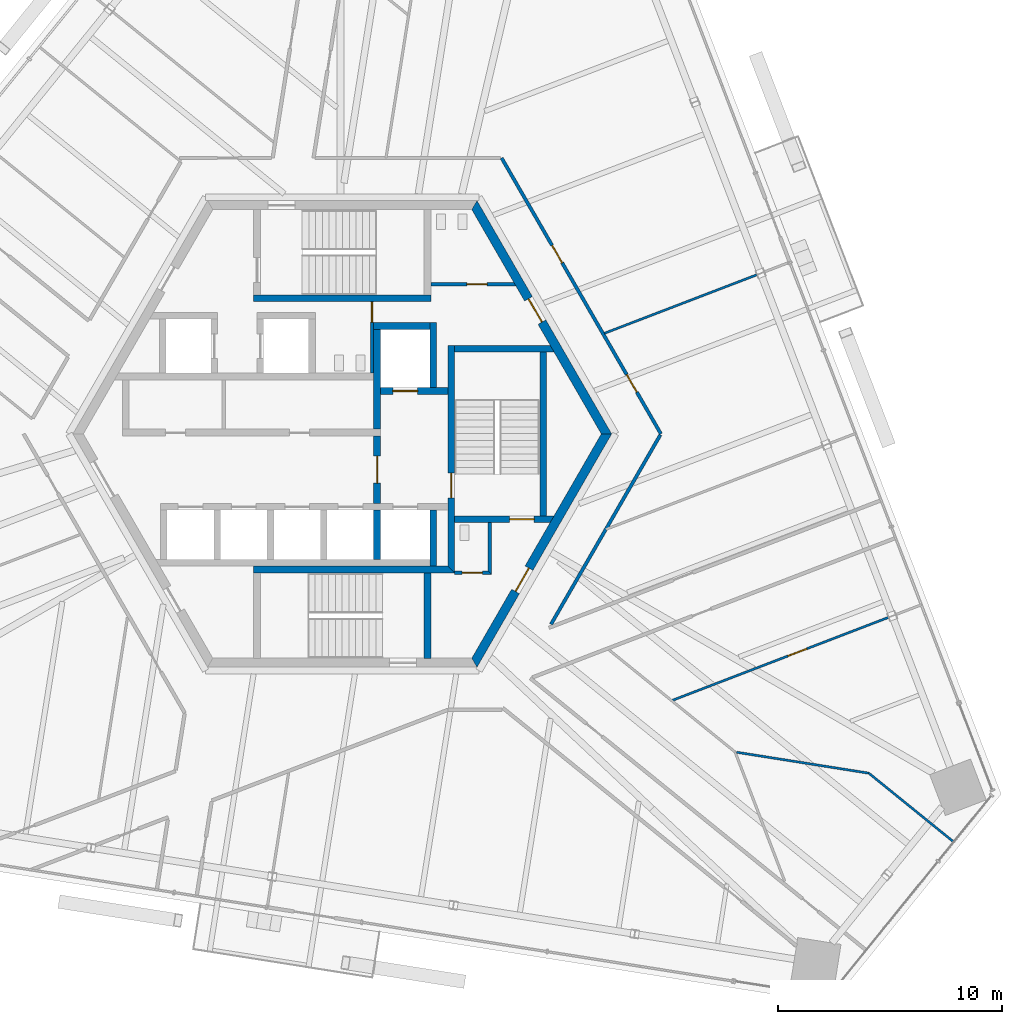
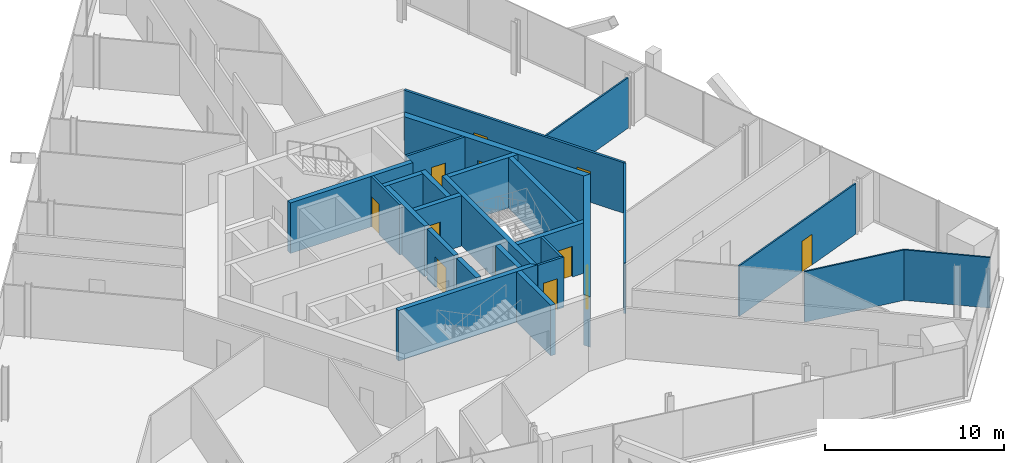
# One storey, part 13 of 19: 26 walls, 12 doors, 12 openings.
"""IFC4 building model written with IfcOpenShell, lengths in metres."""

from ifc_helpers import new_model, si_unit, direction, frame, frame_2d, origin, place, context, subcontext, project, spatial, polyline, rectangle, outline, extrude, source, transform, mapped, material, layer, layer_set, type_object, element, fill, save


model = new_model("IFC4")

# Units and contexts
model_context = context("Model", 3, precision=1e-05, world=origin(), true_north=direction((0.0, 1.0)))
body_context = subcontext(model_context, "Body", "Model", "MODEL_VIEW")
ifc_project = project(units=[si_unit("LENGTHUNIT", "METRE"), si_unit("AREAUNIT", "SQUARE_METRE"), si_unit("VOLUMEUNIT", "CUBIC_METRE"), si_unit("PLANEANGLEUNIT", "RADIAN"), si_unit("MASSUNIT", "GRAM", prefix="KILO")], contexts=[model_context])

# Site, building, storey
site_placement = place(None, origin())
site = spatial("IfcSite", under=ifc_project, at=site_placement, CompositionType="ELEMENT")
building_placement = place(site_placement, origin())
building = spatial("IfcBuilding", under=site, at=building_placement, Name="Triune Harvest Tower", CompositionType="ELEMENT")
storey_placement = place(building_placement, frame((0.0, 0.0, 149.699951171875)))
storey = spatial("IfcBuildingStorey", under=building, at=storey_placement, Name="L38", CompositionType="ELEMENT", Elevation=149.699951171875)

# Walls
ifc_material_1 = material(Name="Gypsum board on steel studs", Category="steel")
ifc_layer_1 = layer(ifc_material_1, 0.10009765625)
ifc_layer_set_1 = layer_set([ifc_layer_1], Name="Gypsum board on steel studs")
wall_type_1 = type_object("IfcWallType", Name="Partition 100 mm", PredefinedType="PARTITIONING", material=ifc_layer_set_1)
wall_1_placement = place(storey_placement, frame((23.454345703125, -15.113525390625, 0.0), z_axis=(0.0, 0.0, 1.0), x_axis=(0.777147968554, -0.629317912483, 0.0)))
element("IfcWall", 1, at=wall_1_placement, inside=storey, type_object=wall_type_1, Name="Partition L38 014", PredefinedType="PARTITIONING", context=body_context, shape_type="SweptSolid", body=[
    extrude(rectangle(XDim=4.870361328125, YDim=0.10009765625, at=frame_2d((2.43505859375, 0.0))), origin(), (0.0, 0.0, 1.0), 3.43994140625),
])
wall_2_placement = place(storey_placement, frame((17.56787109375, -14.18115234375, 0.0), z_axis=(0.0, 0.0, 1.0), x_axis=(0.987687120531, -0.156442168027, 0.0)))
element("IfcWall", 2, at=wall_2_placement, inside=storey, type_object=wall_type_1, Name="Partition L38 021", PredefinedType="PARTITIONING", context=body_context, shape_type="SweptSolid", body=[
    extrude(rectangle(XDim=5.9599609375, YDim=0.10009765625, at=frame_2d((2.97998046875, 0.0))), origin(), (0.0, 0.0, 1.0), 3.43994140625),
])

# Wall, opening, door
ifc_material_2 = material(Name="Concrete 70 MPa", Category="concrete")
ifc_layer_2 = layer(ifc_material_2, 0.39990234375)
ifc_layer_set_2 = layer_set([ifc_layer_2], Name="Concrete 70 MPa")
wall_type_2 = type_object("IfcWallType", Name="Core wall 400", PredefinedType="SHEAR", material=ifc_layer_set_2)
shared_shape_1 = source(origin(), body_context, "Body", "SweptSolid", [
    extrude(outline(polyline([(-0.115478515625, -0.199951171875), (11.884521484375, -0.199951171875), (11.653564453125, 0.199951171875), (0.115478515625, 0.199951171875), (-0.115478515625, -0.199951171875)])), origin(), (0.0, 0.0, 1.0), 3.43994140625),
])
wall_3_placement = place(storey_placement, frame((11.76904296875, 0.0, 0.0), z_axis=(0.0, 0.0, 1.0), x_axis=(-0.499996592174, 0.866027371285, 0.0)))
wall_3 = element("IfcWall", 3, at=wall_3_placement, inside=storey, type_object=wall_type_2, Name="Hexagon 0 wall", PredefinedType="SHEAR", context=body_context, shape_type="MappedRepresentation", body=[
    mapped(shared_shape_1, transform((0.0, 0.0, 0.0), scale=1.0)),
])
opening_1_placement = place(wall_3_placement, frame((5.75048828125, 0.0, 0.0)))
opening_1 = element("IfcOpeningElement", 4, at=opening_1_placement, cuts=wall_3, Name="Opening CD-WCP", PredefinedType="OPENING", context=body_context, shape_type="SweptSolid", body=[
    extrude(rectangle(XDim=1.199951171875, YDim=2.10009765625, at=frame_2d((0.60009765625, 1.050048828125))), frame((0.0, 0.2099609375, 0.0), z_axis=(0.0, -1.0, 0.0), x_axis=(1.0, 0.0, 0.0)), (0.0, 0.0, 1.0), 0.419921875),
])
ifc_material_3 = material(Name="Steel S235", Category="steel")
door_type_1 = type_object("IfcDoorType", Name="Lobby door 1200 FD120", OperationType="SINGLE_SWING_LEFT", PredefinedType="DOOR", material=ifc_material_3)
door_1_placement = place(opening_1_placement, frame((1.199951171875, 0.0, 0.0), z_axis=(0.0, 0.0, 1.0), x_axis=(-1.0, 0.0, 0.0)))
door_1 = element("IfcDoor", 5, at=door_1_placement, inside=storey, type_object=door_type_1, Name="Door CD-WCP", OperationType="SINGLE_SWING_RIGHT", OverallHeight=2.10009765625, OverallWidth=1.199951171875, PredefinedType="DOOR", context=body_context, shape_type="SweptSolid", body=[
    extrude(rectangle(XDim=1.199951171875, YDim=2.10009765625, at=frame_2d((0.60009765625, 1.050048828125))), frame((0.0, 0.02490234375, 0.0), z_axis=(0.0, -1.0, 0.0), x_axis=(1.0, 0.0, 0.0)), (0.0, 0.0, 1.0), 0.050048828125),
])
fill(opening_1, door_1)

wall_4_placement = place(storey_placement, frame((5.884521484375, -10.1923828125, 0.0), z_axis=(0.0, 0.0, 1.0), x_axis=(0.499996592174, 0.866027371285, 0.0)))
wall_4 = element("IfcWall", 6, at=wall_4_placement, inside=storey, type_object=wall_type_2, Name="Hexagon 5 wall", PredefinedType="SHEAR", context=body_context, shape_type="MappedRepresentation", body=[
    mapped(shared_shape_1, transform((0.0, 0.0, 0.0), scale=1.0)),
])
opening_2_placement = place(wall_4_placement, frame((3.66455078125, 0.0, 0.0)))
opening_2 = element("IfcOpeningElement", 7, at=opening_2_placement, cuts=wall_4, Name="Opening CD-DP", PredefinedType="OPENING", context=body_context, shape_type="SweptSolid", body=[
    extrude(rectangle(XDim=1.199951171875, YDim=2.10009765625, at=frame_2d((0.60009765625, 1.050048828125))), frame((0.0, 0.2099609375, 0.0), z_axis=(0.0, -1.0, 0.0), x_axis=(1.0, 0.0, 0.0)), (0.0, 0.0, 1.0), 0.419921875),
])
ifc_material_4 = material(Name="Steel S235", Category="steel")
door_type_2 = type_object("IfcDoorType", Name="Stair door 1200 FD120", OperationType="SINGLE_SWING_LEFT", PredefinedType="DOOR", material=ifc_material_4)
door_2_placement = place(opening_2_placement, frame((1.199951171875, 0.0, 0.0), z_axis=(0.0, 0.0, 1.0), x_axis=(-1.0, 0.0, 0.0)))
door_2 = element("IfcDoor", 8, at=door_2_placement, inside=storey, type_object=door_type_2, Name="Door CD-DP", OperationType="SINGLE_SWING_RIGHT", OverallHeight=2.10009765625, OverallWidth=1.199951171875, PredefinedType="DOOR", context=body_context, shape_type="SweptSolid", body=[
    extrude(rectangle(XDim=1.199951171875, YDim=2.10009765625, at=frame_2d((0.60009765625, 1.050048828125))), frame((0.0, 0.02490234375, 0.0), z_axis=(0.0, -1.0, 0.0), x_axis=(1.0, 0.0, 0.0)), (0.0, 0.0, 1.0), 0.050048828125),
])
fill(opening_2, door_2)

# Walls
ifc_material_5 = material(Name="Concrete 70 MPa", Category="concrete")
ifc_layer_3 = layer(ifc_material_5, 0.300048828125)
ifc_layer_set_3 = layer_set([ifc_layer_3], Name="Concrete 70 MPa")
wall_type_3 = type_object("IfcWallType", Name="Core wall 300", PredefinedType="SHEAR", material=ifc_layer_set_3)
shared_shape_2 = source(origin(), body_context, "Body", "SweptSolid", [
    extrude(rectangle(XDim=2.5, YDim=0.300048828125, at=frame_2d((1.25, 0.0))), origin(), (0.0, 0.0, 1.0), 3.43994140625),
])
for number, where, z_axis, x_axis, name in (
    (9, (1.39990234375, 4.81005859375, 0.0), (0.0, 0.0, 1.0), (1.0, 0.0, 0.0), "Ff1 back wall"),
    (10, (4.050048828125, -5.889892578125, 0.0), (0.0, 0.0, 1.0), (0.0, 1.0, 0.0), "Ff2 east wall"),
):
    element("IfcWall", number, at=place(storey_placement, frame(where, z_axis=z_axis, x_axis=x_axis)), inside=storey, type_object=wall_type_3, Name=name, PredefinedType="SHEAR", context=body_context, shape_type="MappedRepresentation", body=[
        mapped(shared_shape_2, transform((0.0, 0.0, 0.0), scale=1.0)),
    ])
shared_shape_3 = source(origin(), body_context, "Body", "SweptSolid", [
    extrude(rectangle(XDim=4.449951171875, YDim=0.300048828125, at=frame_2d((2.22509765625, 0.0))), origin(), (0.0, 0.0, 1.0), 3.43994140625),
])
wall_5_placement = place(storey_placement, frame((1.550048828125, 0.2099609375, 0.0), z_axis=(0.0, 0.0, 1.0), x_axis=(0.0, 1.0, 0.0)))
element("IfcWall", 11, at=wall_5_placement, inside=storey, type_object=wall_type_3, Name="Ff1 west wall", PredefinedType="SHEAR", context=body_context, shape_type="MappedRepresentation", body=[
    mapped(shared_shape_3, transform((0.0, 0.0, 0.0), scale=1.0)),
])

# Wall, opening, door
shared_shape_4 = source(origin(), body_context, "Body", "SweptSolid", [
    extrude(rectangle(XDim=3.0, YDim=0.300048828125, at=frame_2d((1.5, 0.0))), origin(), (0.0, 0.0, 1.0), 3.43994140625),
])
wall_6_placement = place(storey_placement, frame((1.699951171875, 1.909912109375, 0.0), z_axis=(0.0, 0.0, 1.0), x_axis=(1.0, 0.0, 0.0)))
wall_6 = element("IfcWall", 12, at=wall_6_placement, inside=storey, type_object=wall_type_3, Name="Ff1 front wall", PredefinedType="SHEAR", context=body_context, shape_type="MappedRepresentation", body=[
    mapped(shared_shape_4, transform((0.0, 0.0, 0.0), scale=1.0)),
])
opening_3_placement = place(wall_6_placement, frame((0.550048828125, 0.0, 0.0)))
opening_3 = element("IfcOpeningElement", 13, at=opening_3_placement, cuts=wall_6, Name="Opening LD-FF1-38", PredefinedType="OPENING", context=body_context, shape_type="SweptSolid", body=[
    extrude(rectangle(XDim=1.10009765625, YDim=2.10009765625, at=frame_2d((0.550048828125, 1.050048828125))), frame((0.0, 0.16015625, 0.0), z_axis=(0.0, -1.0, 0.0), x_axis=(1.0, 0.0, 0.0)), (0.0, 0.0, 1.0), 0.320068359375),
])
ifc_material_6 = material(Name="Stainless steel AISI 304", Category="steel")
door_type_3 = type_object("IfcDoorType", Name="Landing door 1100 x 2100", OperationType="DOUBLE_DOOR_SLIDING", PredefinedType="DOOR", material=ifc_material_6)
door_3_placement = place(opening_3_placement, origin())
door_3 = element("IfcDoor", 14, at=door_3_placement, inside=storey, type_object=door_type_3, Name="Door LD-FF1-38", OperationType="DOUBLE_DOOR_SLIDING", OverallHeight=2.10009765625, OverallWidth=1.10009765625, PredefinedType="DOOR", context=body_context, shape_type="SweptSolid", body=[
    extrude(rectangle(XDim=1.10009765625, YDim=2.10009765625, at=frame_2d((0.550048828125, 1.050048828125))), frame((0.0, 0.02490234375, 0.0), z_axis=(0.0, -1.0, 0.0), x_axis=(1.0, 0.0, 0.0)), (0.0, 0.0, 1.0), 0.050048828125),
])
fill(opening_3, door_3)

wall_7_placement = place(storey_placement, frame((1.550048828125, -3.090087890625, 0.0), z_axis=(0.0, 0.0, 1.0), x_axis=(0.0, 1.0, 0.0)))
wall_7 = element("IfcWall", 15, at=wall_7_placement, inside=storey, type_object=wall_type_3, Name="Ff lobby west wall", PredefinedType="SHEAR", context=body_context, shape_type="MappedRepresentation", body=[
    mapped(shared_shape_4, transform((0.0, 0.0, 0.0), scale=1.0)),
])
opening_4_placement = place(wall_7_placement, frame((0.89990234375, 0.0, 0.0)))
opening_4 = element("IfcOpeningElement", 16, at=opening_4_placement, cuts=wall_7, Name="Opening CD-FL", PredefinedType="OPENING", context=body_context, shape_type="SweptSolid", body=[
    extrude(rectangle(XDim=1.199951171875, YDim=2.10009765625, at=frame_2d((0.60009765625, 1.050048828125))), frame((0.0, 0.16015625, 0.0), z_axis=(0.0, -1.0, 0.0), x_axis=(1.0, 0.0, 0.0)), (0.0, 0.0, 1.0), 0.320068359375),
])
ifc_material_7 = material(Name="Steel S235", Category="steel")
door_type_4 = type_object("IfcDoorType", Name="Firefighters' lobby door 1200 FD120", OperationType="SINGLE_SWING_LEFT", PredefinedType="DOOR", material=ifc_material_7)
door_4_placement = place(opening_4_placement, frame((1.199951171875, 0.0, 0.0), z_axis=(0.0, 0.0, 1.0), x_axis=(-1.0, 0.0, 0.0)))
door_4 = element("IfcDoor", 17, at=door_4_placement, inside=storey, type_object=door_type_4, Name="Door CD-FL", OperationType="SINGLE_SWING_RIGHT", OverallHeight=2.10009765625, OverallWidth=1.199951171875, PredefinedType="DOOR", context=body_context, shape_type="SweptSolid", body=[
    extrude(rectangle(XDim=1.199951171875, YDim=2.10009765625, at=frame_2d((0.60009765625, 1.050048828125))), frame((0.0, 0.02490234375, 0.0), z_axis=(0.0, -1.0, 0.0), x_axis=(1.0, 0.0, 0.0)), (0.0, 0.0, 1.0), 0.050048828125),
])
fill(opening_4, door_4)

# Walls
shared_shape_5 = source(origin(), body_context, "Body", "SweptSolid", [
    extrude(rectangle(XDim=2.89990234375, YDim=0.300048828125, at=frame_2d((1.449951171875, 0.0))), origin(), (0.0, 0.0, 1.0), 3.43994140625),
])
wall_8_placement = place(storey_placement, frame((4.050048828125, 2.06005859375, 0.0), z_axis=(0.0, 0.0, 1.0), x_axis=(0.0, 1.0, 0.0)))
element("IfcWall", 18, at=wall_8_placement, inside=storey, type_object=wall_type_3, Name="Ff1 east wall", PredefinedType="SHEAR", context=body_context, shape_type="MappedRepresentation", body=[
    mapped(shared_shape_5, transform((0.0, 0.0, 0.0), scale=1.0)),
])
shared_shape_6 = source(origin(), body_context, "Body", "SweptSolid", [
    extrude(rectangle(XDim=2.2001953125, YDim=0.300048828125, at=frame_2d((1.10009765625, 0.0))), origin(), (0.0, 0.0, 1.0), 3.43994140625),
])
wall_9_placement = place(storey_placement, frame((1.550048828125, -5.590087890625, 0.0), z_axis=(0.0, 0.0, 1.0), x_axis=(0.0, 1.0, 0.0)))
element("IfcWall", 19, at=wall_9_placement, inside=storey, type_object=wall_type_3, Name="Ff2 west wall", PredefinedType="SHEAR", context=body_context, shape_type="MappedRepresentation", body=[
    mapped(shared_shape_6, transform((0.0, 0.0, 0.0), scale=1.0)),
])

# Wall, opening, door
shared_shape_7 = source(origin(), body_context, "Body", "SweptSolid", [
    extrude(outline(polyline([(-0.14990234375, -0.14990234375), (9.989990234375, -0.14990234375), (9.989990234375, 0.14990234375), (0.14990234375, 0.14990234375), (-0.14990234375, -0.14990234375)])), origin(), (0.0, 0.0, 1.0), 3.43994140625),
])
wall_10_placement = place(storey_placement, frame((4.85009765625, -6.0400390625, 0.0), z_axis=(0.0, 0.0, 1.0), x_axis=(0.0, 1.0, 0.0)))
wall_10 = element("IfcWall", 20, at=wall_10_placement, inside=storey, type_object=wall_type_3, Name="Stair e west wall", PredefinedType="SHEAR", context=body_context, shape_type="MappedRepresentation", body=[
    mapped(shared_shape_7, transform((0.0, 0.0, 0.0), scale=1.0)),
])
opening_5_placement = place(wall_10_placement, frame((3.18994140625, 0.0, 0.0)))
opening_5 = element("IfcOpeningElement", 21, at=opening_5_placement, cuts=wall_10, Name="Opening CD-S3L", PredefinedType="OPENING", context=body_context, shape_type="SweptSolid", body=[
    extrude(rectangle(XDim=1.10009765625, YDim=2.10009765625, at=frame_2d((0.550048828125, 1.050048828125))), frame((0.0, 0.16015625, 0.0), z_axis=(0.0, -1.0, 0.0), x_axis=(1.0, 0.0, 0.0)), (0.0, 0.0, 1.0), 0.320068359375),
])
ifc_material_8 = material(Name="Steel S235", Category="steel")
door_type_5 = type_object("IfcDoorType", Name="Stair door 1100 FD120", OperationType="SINGLE_SWING_LEFT", PredefinedType="DOOR", material=ifc_material_8)
door_5_placement = place(opening_5_placement, frame((1.10009765625, 0.0, 0.0), z_axis=(0.0, 0.0, 1.0), x_axis=(-1.0, 0.0, 0.0)))
door_5 = element("IfcDoor", 22, at=door_5_placement, inside=storey, type_object=door_type_5, Name="Door CD-S3L", OperationType="SINGLE_SWING_RIGHT", OverallHeight=2.10009765625, OverallWidth=1.10009765625, PredefinedType="DOOR", context=body_context, shape_type="SweptSolid", body=[
    extrude(rectangle(XDim=1.10009765625, YDim=2.10009765625, at=frame_2d((0.550048828125, 1.050048828125))), frame((0.0, 0.02490234375, 0.0), z_axis=(0.0, -1.0, 0.0), x_axis=(1.0, 0.0, 0.0)), (0.0, 0.0, 1.0), 0.050048828125),
])
fill(opening_5, door_5)

# Wall
shared_shape_8 = source(origin(), body_context, "Body", "SweptSolid", [
    extrude(outline(polyline([(0.0, -0.14990234375), (0.0, 0.14990234375), (4.260009765625, 0.14990234375), (4.43310546875, -0.14990234375), (0.0, -0.14990234375)])), origin(), (0.0, 0.0, 1.0), 3.43994140625),
])
wall_11_placement = place(storey_placement, frame((5.0, 3.800048828125, 0.0), z_axis=(0.0, 0.0, 1.0), x_axis=(1.0, 0.0, 0.0)))
element("IfcWall", 23, at=wall_11_placement, inside=storey, type_object=wall_type_3, Name="Stair e north wall", PredefinedType="SHEAR", context=body_context, shape_type="MappedRepresentation", body=[
    mapped(shared_shape_8, transform((0.0, 0.0, 0.0), scale=1.0)),
])

# Wall, opening, door
shared_shape_9 = source(origin(), body_context, "Body", "SweptSolid", [
    extrude(outline(polyline([(0.0, -0.14990234375), (0.0, 0.14990234375), (4.43310546875, 0.14990234375), (4.260009765625, -0.14990234375), (0.0, -0.14990234375)])), origin(), (0.0, 0.0, 1.0), 3.43994140625),
])
wall_12_placement = place(storey_placement, frame((5.0, -3.800048828125, 0.0), z_axis=(0.0, 0.0, 1.0), x_axis=(1.0, 0.0, 0.0)))
wall_12 = element("IfcWall", 24, at=wall_12_placement, inside=storey, type_object=wall_type_3, Name="Stair e south wall", PredefinedType="SHEAR", context=body_context, shape_type="MappedRepresentation", body=[
    mapped(shared_shape_9, transform((0.0, 0.0, 0.0), scale=1.0)),
])
opening_6_placement = place(wall_12_placement, frame((2.449951171875, 0.0, 0.0)))
opening_6 = element("IfcOpeningElement", 25, at=opening_6_placement, cuts=wall_12, Name="Opening CD-S3D", PredefinedType="OPENING", context=body_context, shape_type="SweptSolid", body=[
    extrude(rectangle(XDim=1.10009765625, YDim=2.10009765625, at=frame_2d((0.550048828125, 1.050048828125))), frame((0.0, 0.16015625, 0.0), z_axis=(0.0, -1.0, 0.0), x_axis=(1.0, 0.0, 0.0)), (0.0, 0.0, 1.0), 0.320068359375),
])
door_6_placement = place(opening_6_placement, frame((1.10009765625, 0.0, 0.0), z_axis=(0.0, 0.0, 1.0), x_axis=(-1.0, 0.0, 0.0)))
door_6 = element("IfcDoor", 26, at=door_6_placement, inside=storey, type_object=door_type_5, Name="Door CD-S3D", OperationType="SINGLE_SWING_RIGHT", OverallHeight=2.10009765625, OverallWidth=1.10009765625, PredefinedType="DOOR", context=body_context, shape_type="SweptSolid", body=[
    extrude(rectangle(XDim=1.10009765625, YDim=2.10009765625, at=frame_2d((0.550048828125, 1.050048828125))), frame((0.0, 0.02490234375, 0.0), z_axis=(0.0, -1.0, 0.0), x_axis=(1.0, 0.0, 0.0)), (0.0, 0.0, 1.0), 0.050048828125),
])
fill(opening_6, door_6)

# Walls
shared_shape_10 = source(origin(), body_context, "Body", "SweptSolid", [
    extrude(rectangle(XDim=7.2998046875, YDim=0.300048828125, at=frame_2d((3.64990234375, 0.0))), origin(), (0.0, 0.0, 1.0), 3.43994140625),
])
wall_13_placement = place(storey_placement, frame((8.949951171875, -3.64990234375, 0.0), z_axis=(0.0, 0.0, 1.0), x_axis=(0.0, 1.0, 0.0)))
element("IfcWall", 27, at=wall_13_placement, inside=storey, type_object=wall_type_3, Name="Stair e east wall", PredefinedType="SHEAR", context=body_context, shape_type="MappedRepresentation", body=[
    mapped(shared_shape_10, transform((0.0, 0.0, 0.0), scale=1.0)),
])
shared_shape_11 = source(origin(), body_context, "Body", "SweptSolid", [
    extrude(rectangle(XDim=7.89990234375, YDim=0.300048828125, at=frame_2d((3.949951171875, 0.0))), origin(), (0.0, 0.0, 1.0), 3.43994140625),
])
wall_14_placement = place(storey_placement, frame((-3.949951171875, 6.0400390625, 0.0), z_axis=(0.0, 0.0, 1.0), x_axis=(1.0, 0.0, 0.0)))
element("IfcWall", 28, at=wall_14_placement, inside=storey, type_object=wall_type_3, Name="Stair n south wall", PredefinedType="SHEAR", context=body_context, shape_type="MappedRepresentation", body=[
    mapped(shared_shape_11, transform((0.0, 0.0, 0.0), scale=1.0)),
])
shared_shape_12 = source(origin(), body_context, "Body", "SweptSolid", [
    extrude(outline(polyline([(0.0, -0.14990234375), (8.949951171875, -0.14990234375), (8.64990234375, 0.14990234375), (0.0, 0.14990234375), (0.0, -0.14990234375)])), origin(), (0.0, 0.0, 1.0), 3.43994140625),
])
wall_15_placement = place(storey_placement, frame((-3.949951171875, -6.0400390625, 0.0), z_axis=(0.0, 0.0, 1.0), x_axis=(1.0, 0.0, 0.0)))
element("IfcWall", 29, at=wall_15_placement, inside=storey, type_object=wall_type_3, Name="Stair s north wall", PredefinedType="SHEAR", context=body_context, shape_type="MappedRepresentation", body=[
    mapped(shared_shape_12, transform((0.0, 0.0, 0.0), scale=1.0)),
])
shared_shape_13 = source(origin(), body_context, "Body", "SweptSolid", [
    extrude(outline(polyline([(3.800048828125, -0.14990234375), (-0.00439453125, -0.14990234375), (-0.00439453125, 0.14990234375), (3.800048828125, 0.14990234375), (3.800048828125, -0.14990234375)])), origin(), (0.0, 0.0, 1.0), 3.43994140625),
])
wall_16_placement = place(storey_placement, frame((3.800048828125, -9.989990234375, 0.0), z_axis=(0.0, 0.0, 1.0), x_axis=(0.0, 1.0, 0.0)))
element("IfcWall", 30, at=wall_16_placement, inside=storey, type_object=wall_type_3, Name="Stair s east wall", PredefinedType="SHEAR", context=body_context, shape_type="MappedRepresentation", body=[
    mapped(shared_shape_13, transform((0.0, 0.0, 0.0), scale=1.0)),
])

# Wall, opening, door
ifc_material_9 = material(Name="Concrete masonry unit", Category="masonry")
ifc_layer_4 = layer(ifc_material_9, 0.14990234375)
ifc_layer_set_4 = layer_set([ifc_layer_4], Name="Concrete masonry unit")
wall_type_4 = type_object("IfcWallType", Name="Block partition 150 unrated", PredefinedType="PARTITIONING", material=ifc_layer_set_4)
shared_shape_14 = source(origin(), body_context, "Body", "SweptSolid", [
    extrude(rectangle(XDim=3.179931640625, YDim=0.14990234375, at=frame_2d((1.58984375, 0.0))), origin(), (0.0, 0.0, 1.0), 3.43994140625),
])
wall_17_placement = place(storey_placement, frame((1.324951171875, 2.7099609375, 0.0), z_axis=(0.0, 0.0, 1.0), x_axis=(0.0, 1.0, 0.0)))
wall_17 = element("IfcWall", 31, at=wall_17_placement, inside=storey, type_object=wall_type_4, Name="Wc men east wall", PredefinedType="PARTITIONING", context=body_context, shape_type="MappedRepresentation", body=[
    mapped(shared_shape_14, transform((0.0, 0.0, 0.0), scale=1.0)),
])
opening_7_placement = place(wall_17_placement, frame((2.264892578125, 0.0, 0.0)))
opening_7 = element("IfcOpeningElement", 32, at=opening_7_placement, cuts=wall_17, Name="Opening CD-WM", PredefinedType="OPENING", context=body_context, shape_type="SweptSolid", body=[
    extrude(rectangle(XDim=0.89990234375, YDim=2.10009765625, at=frame_2d((0.449951171875, 1.050048828125))), frame((0.0, 0.0849609375, 0.0), z_axis=(0.0, -1.0, 0.0), x_axis=(1.0, 0.0, 0.0)), (0.0, 0.0, 1.0), 0.169921875),
])
ifc_material_10 = material(Name="Timber C24", Category="wood")
door_type_6 = type_object("IfcDoorType", Name="WC door 900", OperationType="SINGLE_SWING_LEFT", PredefinedType="DOOR", material=ifc_material_10)
door_7_placement = place(opening_7_placement, origin())
door_7 = element("IfcDoor", 33, at=door_7_placement, inside=storey, type_object=door_type_6, Name="Door CD-WM", OperationType="SINGLE_SWING_LEFT", OverallHeight=2.10009765625, OverallWidth=0.89990234375, PredefinedType="DOOR", context=body_context, shape_type="SweptSolid", body=[
    extrude(rectangle(XDim=0.89990234375, YDim=2.10009765625, at=frame_2d((0.449951171875, 1.050048828125))), frame((0.0, 0.02490234375, 0.0), z_axis=(0.0, -1.0, 0.0), x_axis=(1.0, 0.0, 0.0)), (0.0, 0.0, 1.0), 0.050048828125),
])
fill(opening_7, door_7)

shared_shape_15 = source(origin(), body_context, "Body", "SweptSolid", [
    extrude(outline(polyline([(0.0, -0.074951171875), (0.0, 0.074951171875), (3.693359375, 0.074951171875), (3.77978515625, -0.074951171875), (0.0, -0.074951171875)])), origin(), (0.0, 0.0, 1.0), 3.43994140625),
])
wall_18_placement = place(storey_placement, frame((3.949951171875, 6.675048828125, 0.0), z_axis=(0.0, 0.0, 1.0), x_axis=(1.0, 0.0, 0.0)))
wall_18 = element("IfcWall", 34, at=wall_18_placement, inside=storey, type_object=wall_type_4, Name="Wc women south wall", PredefinedType="PARTITIONING", context=body_context, shape_type="MappedRepresentation", body=[
    mapped(shared_shape_15, transform((0.0, 0.0, 0.0), scale=1.0)),
])
opening_8_placement = place(wall_18_placement, frame((1.60009765625, 0.0, 0.0)))
opening_8 = element("IfcOpeningElement", 35, at=opening_8_placement, cuts=wall_18, Name="Opening CD-WW", PredefinedType="OPENING", context=body_context, shape_type="SweptSolid", body=[
    extrude(rectangle(XDim=0.89990234375, YDim=2.10009765625, at=frame_2d((0.449951171875, 1.050048828125))), frame((0.0, 0.0849609375, 0.0), z_axis=(0.0, -1.0, 0.0), x_axis=(1.0, 0.0, 0.0)), (0.0, 0.0, 1.0), 0.169921875),
])
door_8_placement = place(opening_8_placement, origin())
door_8 = element("IfcDoor", 36, at=door_8_placement, inside=storey, type_object=door_type_6, Name="Door CD-WW", OperationType="SINGLE_SWING_LEFT", OverallHeight=2.10009765625, OverallWidth=0.89990234375, PredefinedType="DOOR", context=body_context, shape_type="SweptSolid", body=[
    extrude(rectangle(XDim=0.89990234375, YDim=2.10009765625, at=frame_2d((0.449951171875, 1.050048828125))), frame((0.0, 0.02490234375, 0.0), z_axis=(0.0, -1.0, 0.0), x_axis=(1.0, 0.0, 0.0)), (0.0, 0.0, 1.0), 0.050048828125),
])
fill(opening_8, door_8)

shared_shape_16 = source(origin(), body_context, "Body", "SweptSolid", [
    extrude(outline(polyline([(0.0, -0.074951171875), (1.64990234375, -0.074951171875), (1.5, 0.074951171875), (0.0, 0.074951171875), (0.0, -0.074951171875)])), origin(), (0.0, 0.0, 1.0), 3.43994140625),
])
wall_19_placement = place(storey_placement, frame((5.0, -6.18994140625, 0.0), z_axis=(0.0, 0.0, 1.0), x_axis=(1.0, 0.0, 0.0)))
wall_19 = element("IfcWall", 37, at=wall_19_placement, inside=storey, type_object=wall_type_4, Name="Wc acc south wall", PredefinedType="PARTITIONING", context=body_context, shape_type="MappedRepresentation", body=[
    mapped(shared_shape_16, transform((0.0, 0.0, 0.0), scale=1.0)),
])
opening_9_placement = place(wall_19_placement, frame((0.33740234375, 0.0, 0.0)))
opening_9 = element("IfcOpeningElement", 38, at=opening_9_placement, cuts=wall_19, Name="Opening CD-WA", PredefinedType="OPENING", context=body_context, shape_type="SweptSolid", body=[
    extrude(rectangle(XDim=0.89990234375, YDim=2.10009765625, at=frame_2d((0.449951171875, 1.050048828125))), frame((0.0, 0.0849609375, 0.0), z_axis=(0.0, -1.0, 0.0), x_axis=(1.0, 0.0, 0.0)), (0.0, 0.0, 1.0), 0.169921875),
])
door_9_placement = place(opening_9_placement, origin())
door_9 = element("IfcDoor", 39, at=door_9_placement, inside=storey, type_object=door_type_6, Name="Door CD-WA", OperationType="SINGLE_SWING_LEFT", OverallHeight=2.10009765625, OverallWidth=0.89990234375, PredefinedType="DOOR", context=body_context, shape_type="SweptSolid", body=[
    extrude(rectangle(XDim=0.89990234375, YDim=2.10009765625, at=frame_2d((0.449951171875, 1.050048828125))), frame((0.0, 0.02490234375, 0.0), z_axis=(0.0, -1.0, 0.0), x_axis=(1.0, 0.0, 0.0)), (0.0, 0.0, 1.0), 0.050048828125),
])
fill(opening_9, door_9)

# Wall
shared_shape_17 = source(origin(), body_context, "Body", "SweptSolid", [
    extrude(outline(polyline([(-0.074951171875, -0.074951171875), (2.239990234375, -0.074951171875), (2.239990234375, 0.074951171875), (0.074951171875, 0.074951171875), (-0.074951171875, -0.074951171875)])), origin(), (0.0, 0.0, 1.0), 3.43994140625),
])
wall_20_placement = place(storey_placement, frame((6.574951171875, -6.18994140625, 0.0), z_axis=(0.0, 0.0, 1.0), x_axis=(0.0, 1.0, 0.0)))
element("IfcWall", 40, at=wall_20_placement, inside=storey, type_object=wall_type_4, Name="Wc acc east wall", PredefinedType="PARTITIONING", context=body_context, shape_type="MappedRepresentation", body=[
    mapped(shared_shape_17, transform((0.0, 0.0, 0.0), scale=1.0)),
])

# Wall, openings, doors
ifc_material_11 = material(Name="Gypsum board on steel studs", Category="steel")
ifc_layer_5 = layer(ifc_material_11, 0.14990234375)
ifc_layer_set_5 = layer_set([ifc_layer_5], Name="Gypsum board on steel studs")
wall_type_5 = type_object("IfcWallType", Name="Fire Partition 150 mm", PredefinedType="PARTITIONING", material=ifc_layer_set_5)
shared_shape_18 = source(origin(), body_context, "Body", "SweptSolid", [
    extrude(rectangle(XDim=14.19384765625, YDim=0.14990234375, at=frame_2d((7.096923828125, 0.0))), origin(), (0.0, 0.0, 1.0), 3.43994140625),
])
wall_21_placement = place(storey_placement, frame((7.096923828125, 12.292236328125, 0.0), z_axis=(0.0, 0.0, 1.0), x_axis=(0.499999887723, -0.866025468608, 0.0)))
wall_21 = element("IfcWall", 41, at=wall_21_placement, inside=storey, type_object=wall_type_5, Name="Partition L38 004", PredefinedType="PARTITIONING", context=body_context, shape_type="MappedRepresentation", body=[
    mapped(shared_shape_18, transform((0.0, 0.0, 0.0), scale=1.0)),
])
opening_10_placement = place(wall_21_placement, frame((11.143798828125, 0.0, 0.0)))
opening_10 = element("IfcOpeningElement", 42, at=opening_10_placement, cuts=wall_21, Name="Opening L38-004", PredefinedType="OPENING", context=body_context, shape_type="SweptSolid", body=[
    extrude(rectangle(XDim=0.89990234375, YDim=2.10009765625, at=frame_2d((0.449951171875, 1.050048828125))), frame((0.0, 0.0849609375, 0.0), z_axis=(0.0, -1.0, 0.0), x_axis=(1.0, 0.0, 0.0)), (0.0, 0.0, 1.0), 0.169921875),
])
opening_11_placement = place(wall_21_placement, frame((4.493896484375, 0.0, 0.0)))
opening_11 = element("IfcOpeningElement", 43, at=opening_11_placement, cuts=wall_21, Name="Opening L38-005", PredefinedType="OPENING", context=body_context, shape_type="SweptSolid", body=[
    extrude(rectangle(XDim=0.89990234375, YDim=2.10009765625, at=frame_2d((0.449951171875, 1.050048828125))), frame((0.0, 0.0849609375, 0.0), z_axis=(0.0, -1.0, 0.0), x_axis=(1.0, 0.0, 0.0)), (0.0, 0.0, 1.0), 0.169921875),
])
ifc_material_12 = material(Name="Timber and steel door set", Category="steel")
door_type_7 = type_object("IfcDoorType", Name="Single leaf door FD30 left hand 900 x 2100", OperationType="SINGLE_SWING_LEFT", PredefinedType="DOOR", material=ifc_material_12)
door_10_placement = place(opening_11_placement, origin())
door_10 = element("IfcDoor", 44, at=door_10_placement, inside=storey, type_object=door_type_7, Name="Door L38-005 Open Office 38.05", OperationType="SINGLE_SWING_LEFT", OverallHeight=2.10009765625, OverallWidth=0.89990234375, PredefinedType="DOOR", context=body_context, shape_type="SweptSolid", body=[
    extrude(rectangle(XDim=0.89990234375, YDim=2.10009765625, at=frame_2d((0.449951171875, 1.050048828125))), frame((0.0, 0.02490234375, 0.0), z_axis=(0.0, -1.0, 0.0), x_axis=(1.0, 0.0, 0.0)), (0.0, 0.0, 1.0), 0.050048828125),
])
fill(opening_11, door_10)
ifc_material_13 = material(Name="Timber and steel door set", Category="steel")
door_type_8 = type_object("IfcDoorType", Name="Single leaf door FD30 right hand 900 x 2100", OperationType="SINGLE_SWING_RIGHT", PredefinedType="DOOR", material=ifc_material_13)
door_11_placement = place(opening_10_placement, origin())
door_11 = element("IfcDoor", 45, at=door_11_placement, inside=storey, type_object=door_type_8, Name="Door L38-004 Reception 38.04", OperationType="SINGLE_SWING_RIGHT", OverallHeight=2.10009765625, OverallWidth=0.89990234375, PredefinedType="DOOR", context=body_context, shape_type="SweptSolid", body=[
    extrude(rectangle(XDim=0.89990234375, YDim=2.10009765625, at=frame_2d((0.449951171875, 1.050048828125))), frame((0.0, 0.02490234375, 0.0), z_axis=(0.0, -1.0, 0.0), x_axis=(1.0, 0.0, 0.0)), (0.0, 0.0, 1.0), 0.050048828125),
])
fill(opening_10, door_11)

# Wall
shared_shape_19 = source(origin(), body_context, "Body", "SweptSolid", [
    extrude(rectangle(XDim=7.279541015625, YDim=0.10009765625, at=frame_2d((3.6396484375, 0.0))), origin(), (0.0, 0.0, 1.0), 3.43994140625),
])
wall_22_placement = place(storey_placement, frame((11.675048828125, 4.4814453125, 0.0), z_axis=(0.0, 0.0, 1.0), x_axis=(0.933587418319, 0.358349734696, 0.0)))
element("IfcWall", 46, at=wall_22_placement, inside=storey, type_object=wall_type_1, Name="Partition L38 037", PredefinedType="PARTITIONING", context=body_context, shape_type="MappedRepresentation", body=[
    mapped(shared_shape_19, transform((0.0, 0.0, 0.0), scale=1.0)),
])

# Wall, opening, door
shared_shape_20 = source(origin(), body_context, "Body", "SweptSolid", [
    extrude(rectangle(XDim=10.345458984375, YDim=0.10009765625, at=frame_2d((5.1728515625, 0.0))), origin(), (0.0, 0.0, 1.0), 3.43994140625),
])
wall_23_placement = place(storey_placement, frame((14.672119140625, -11.881103515625, 0.0), z_axis=(0.0, 0.0, 1.0), x_axis=(0.933577751709, 0.358374917529, 0.0)))
wall_23 = element("IfcWall", 47, at=wall_23_placement, inside=storey, type_object=wall_type_1, Name="Partition L38 025", PredefinedType="PARTITIONING", context=body_context, shape_type="MappedRepresentation", body=[
    mapped(shared_shape_20, transform((0.0, 0.0, 0.0), scale=1.0)),
])
opening_12_placement = place(wall_23_placement, frame((5.550048828125, 0.0, 0.0)))
opening_12 = element("IfcOpeningElement", 48, at=opening_12_placement, cuts=wall_23, Name="Opening L38-001", PredefinedType="OPENING", context=body_context, shape_type="SweptSolid", body=[
    extrude(rectangle(XDim=0.89990234375, YDim=2.10009765625, at=frame_2d((0.449951171875, 1.050048828125))), frame((0.0, 0.06005859375, 0.0), z_axis=(0.0, -1.0, 0.0), x_axis=(1.0, 0.0, 0.0)), (0.0, 0.0, 1.0), 0.1201171875),
])
ifc_material_14 = material(Name="Timber and steel door set", Category="steel")
door_type_9 = type_object("IfcDoorType", Name="Single leaf door left hand 900 x 2100", OperationType="SINGLE_SWING_LEFT", PredefinedType="DOOR", material=ifc_material_14)
door_12_placement = place(opening_12_placement, origin())
door_12 = element("IfcDoor", 49, at=door_12_placement, inside=storey, type_object=door_type_9, Name="Door L38-001 Project Room 38.01", OperationType="SINGLE_SWING_LEFT", OverallHeight=2.10009765625, OverallWidth=0.89990234375, PredefinedType="DOOR", context=body_context, shape_type="SweptSolid", body=[
    extrude(rectangle(XDim=0.89990234375, YDim=2.10009765625, at=frame_2d((0.449951171875, 1.050048828125))), frame((0.0, 0.02490234375, 0.0), z_axis=(0.0, -1.0, 0.0), x_axis=(1.0, 0.0, 0.0)), (0.0, 0.0, 1.0), 0.050048828125),
])
fill(opening_12, door_12)

# Wall
shared_shape_21 = source(origin(), body_context, "Body", "SweptSolid", [
    extrude(rectangle(XDim=9.742431640625, YDim=0.14990234375, at=frame_2d((4.87109375, 0.0))), origin(), (0.0, 0.0, 1.0), 3.43994140625),
])
wall_24_placement = place(storey_placement, frame((9.297607421875, -8.48046875, 0.0), z_axis=(0.0, 0.0, 1.0), x_axis=(0.500006616504, 0.86602158371, 0.0)))
element("IfcWall", 50, at=wall_24_placement, inside=storey, type_object=wall_type_5, Name="Partition L38 040", PredefinedType="PARTITIONING", context=body_context, shape_type="MappedRepresentation", body=[
    mapped(shared_shape_21, transform((0.0, 0.0, 0.0), scale=1.0)),
])

save(model, "model.ifc")
